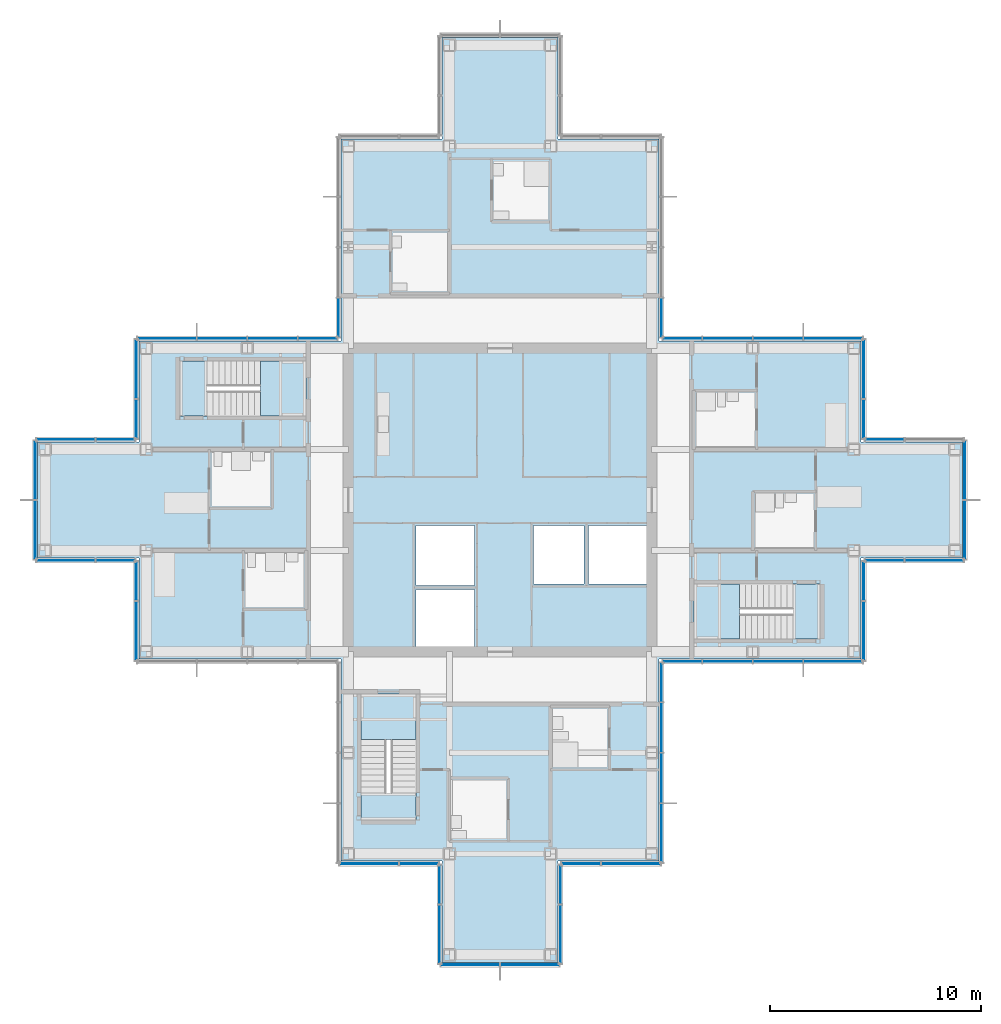
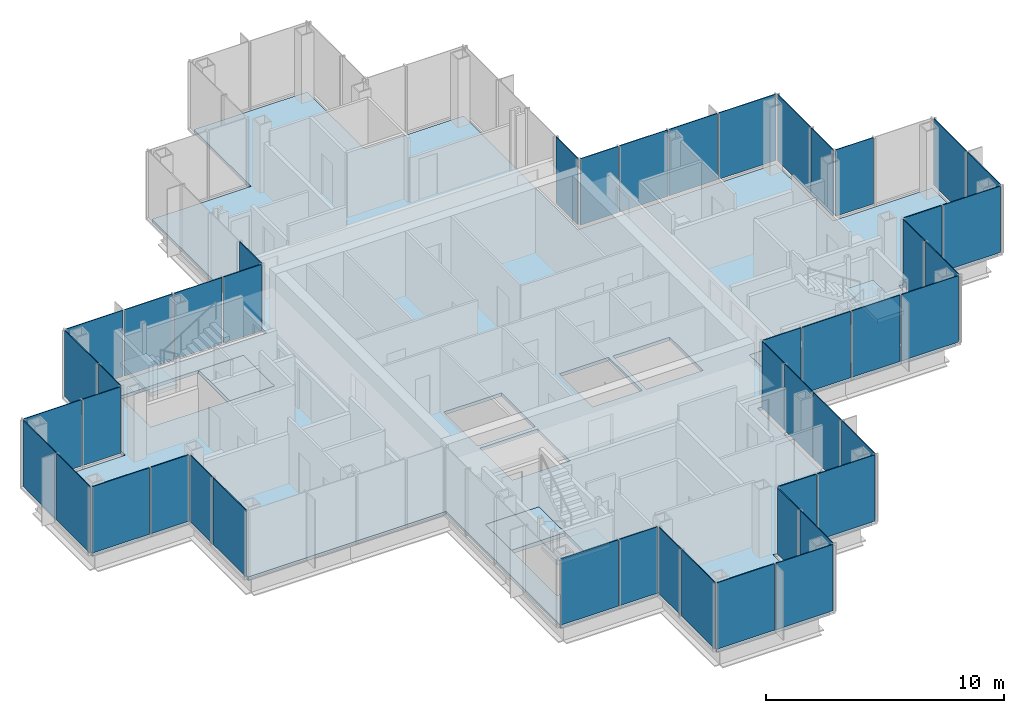
# One storey, part 10 of 17: 47 plates, 7 slabs, 24 elements without a shape of their own.
"""IFC4 building model written with IfcOpenShell, lengths in metres."""

from ifc_helpers import new_model, si_unit, direction, frame, origin, origin_2d, place, context, subcontext, project, spatial, polyline, rectangle, outline, extrude, material, layer, layer_set, type_object, element, aggregate, save


model = new_model("IFC4")

# Units and contexts
model_context = context("Model", 3, precision=1e-05, world=origin(), true_north=direction((0.0, 1.0)))
body_context = subcontext(model_context, "Body", "Model", "MODEL_VIEW")
ifc_project = project(units=[si_unit("LENGTHUNIT", "METRE"), si_unit("AREAUNIT", "SQUARE_METRE"), si_unit("VOLUMEUNIT", "CUBIC_METRE"), si_unit("PLANEANGLEUNIT", "RADIAN"), si_unit("MASSUNIT", "GRAM", prefix="KILO")], contexts=[model_context])

# Site, building, storey
site_placement = place(None, origin())
site = spatial("IfcSite", under=ifc_project, at=site_placement, CompositionType="ELEMENT")
building_placement = place(site_placement, origin())
building = spatial("IfcBuilding", under=site, at=building_placement, Name="Kvirike Care Tower", CompositionType="ELEMENT")
storey_placement = place(building_placement, frame((0.0, 0.0, 165.5)))
storey = spatial("IfcBuildingStorey", under=building, at=storey_placement, Name="L45", CompositionType="ELEMENT", Elevation=165.5)

# Slab
ifc_material_1 = material(Name="Concrete C35/45", Category="concrete")
ifc_layer_1 = layer(ifc_material_1, 0.169921875)
ifc_layer_set_1 = layer_set([ifc_layer_1], Name="FLOOR SLAB 170")
slab_type_1 = type_object("IfcSlabType", Name="FLOOR SLAB 170", PredefinedType="FLOOR", material=ifc_layer_set_1)
slab_1_placement = place(storey_placement, frame((0.0, 0.0, -0.169921875)))
element("IfcSlab", 1, at=slab_1_placement, inside=storey, type_object=slab_type_1, Name="Floor slab L45", PredefinedType="FLOOR", context=body_context, shape_type="SweptSolid", body=[
    extrude(outline(polyline([(29.14990234375, 28.449951171875), (38.75, 28.449951171875), (38.75, 33.25), (43.550048828125, 33.25), (43.550048828125, 38.75), (38.75, 38.75), (38.75, 43.550048828125), (29.14990234375, 43.550048828125), (29.14990234375, 53.14990234375), (24.35009765625, 53.14990234375), (24.35009765625, 57.949951171875), (18.85009765625, 57.949951171875), (18.85009765625, 53.14990234375), (14.050048828125, 53.14990234375), (14.050048828125, 43.550048828125), (4.449951171875, 43.550048828125), (4.449951171875, 38.75), (-0.35009765625, 38.75), (-0.35009765625, 33.25), (4.449951171875, 33.25), (4.449951171875, 28.449951171875), (14.050048828125, 28.449951171875), (14.050048828125, 18.85009765625), (18.85009765625, 18.85009765625), (18.85009765625, 14.050048828125), (24.35009765625, 14.050048828125), (24.35009765625, 18.85009765625), (29.14990234375, 18.85009765625), (29.14990234375, 28.449951171875)]), holes=[polyline([(17.60009765625, 29.050048828125), (17.60009765625, 31.75), (20.39990234375, 31.75), (20.39990234375, 29.050048828125), (17.60009765625, 29.050048828125)]), polyline([(17.60009765625, 31.949951171875), (17.60009765625, 34.800048828125), (20.39990234375, 34.800048828125), (20.39990234375, 31.949951171875), (17.60009765625, 31.949951171875)]), polyline([(23.199951171875, 32.0), (23.199951171875, 34.800048828125), (25.60009765625, 34.800048828125), (25.60009765625, 32.0), (23.199951171875, 32.0)]), polyline([(25.800048828125, 32.0), (25.800048828125, 34.800048828125), (28.550048828125, 34.800048828125), (28.550048828125, 32.0), (25.800048828125, 32.0)]), polyline([(12.39990234375, 42.60009765625), (12.39990234375, 40.0), (6.39990234375, 40.0), (6.39990234375, 42.60009765625), (12.39990234375, 42.60009765625)]), polyline([(30.800048828125, 29.39990234375), (30.800048828125, 32.0), (36.800048828125, 32.0), (36.800048828125, 29.39990234375), (30.800048828125, 29.39990234375)]), polyline([(15.0, 26.800048828125), (17.60009765625, 26.800048828125), (17.60009765625, 20.800048828125), (15.0, 20.800048828125), (15.0, 26.800048828125)])]), origin(), (0.0, 0.0, 1.0), 0.169921875),
])

# Stair, slabs
ifc_material_2 = material(Name="Concrete C35/45", Category="concrete")
stair_type = type_object("IfcStairType", Name="STAIR 20 RISERS", PredefinedType="HALF_TURN_STAIR", material=ifc_material_2)
stair_1_placement = place(storey_placement, origin())
stair_1 = element("IfcStair", 2, at=stair_1_placement, inside=storey, type_object=stair_type, Name="Stair 1 L45", PredefinedType="HALF_TURN_STAIR")
ifc_material_3 = material(Name="Concrete C35/45", Category="concrete")
ifc_layer_2 = layer(ifc_material_3, 0.199951171875)
ifc_layer_set_2 = layer_set([ifc_layer_2], Name="STAIR LANDING 200")
slab_type_2 = type_object("IfcSlabType", Name="STAIR LANDING 200", PredefinedType="LANDING", material=ifc_layer_set_2)
slab_2_placement = place(storey_placement, frame((0.0, 0.0, -0.199951171875)))
slab_2 = element("IfcSlab", 3, at=slab_2_placement, type_object=slab_type_2, Name="Stair S1 floor landing L45", PredefinedType="LANDING", context=body_context, shape_type="SweptSolid", body=[
    extrude(outline(polyline([(10.219970703125, 42.60009765625), (10.219970703125, 40.0), (12.39990234375, 40.0), (12.39990234375, 42.60009765625), (10.219970703125, 42.60009765625)])), origin(), (0.0, 0.0, 1.0), 0.199951171875),
])
slab_3_placement = place(storey_placement, frame((0.0, 0.0, 1.550048828125)))
slab_3 = element("IfcSlab", 4, at=slab_3_placement, type_object=slab_type_2, Name="Stair S1 half landing L45-L46", PredefinedType="LANDING", context=body_context, shape_type="SweptSolid", body=[
    extrude(outline(polyline([(6.39990234375, 42.60009765625), (6.39990234375, 40.0), (7.699951171875, 40.0), (7.699951171875, 42.60009765625), (6.39990234375, 42.60009765625)])), origin(), (0.0, 0.0, 1.0), 0.199951171875),
])
aggregate(stair_1, [slab_2, slab_3])

stair_2_placement = place(storey_placement, origin())
stair_2 = element("IfcStair", 5, at=stair_2_placement, inside=storey, type_object=stair_type, Name="Stair 2 L45", PredefinedType="HALF_TURN_STAIR")
slab_4_placement = place(storey_placement, frame((0.0, 0.0, -0.199951171875)))
slab_4 = element("IfcSlab", 6, at=slab_4_placement, type_object=slab_type_2, Name="Stair S2 floor landing L45", PredefinedType="LANDING", context=body_context, shape_type="SweptSolid", body=[
    extrude(outline(polyline([(32.97998046875, 29.39990234375), (32.97998046875, 32.0), (30.800048828125, 32.0), (30.800048828125, 29.39990234375), (32.97998046875, 29.39990234375)])), origin(), (0.0, 0.0, 1.0), 0.199951171875),
])
slab_5_placement = place(storey_placement, frame((0.0, 0.0, 1.550048828125)))
slab_5 = element("IfcSlab", 7, at=slab_5_placement, type_object=slab_type_2, Name="Stair S2 half landing L45-L46", PredefinedType="LANDING", context=body_context, shape_type="SweptSolid", body=[
    extrude(outline(polyline([(36.800048828125, 29.39990234375), (36.800048828125, 32.0), (35.5, 32.0), (35.5, 29.39990234375), (36.800048828125, 29.39990234375)])), origin(), (0.0, 0.0, 1.0), 0.199951171875),
])
aggregate(stair_2, [slab_4, slab_5])

stair_3_placement = place(storey_placement, origin())
stair_3 = element("IfcStair", 8, at=stair_3_placement, inside=storey, type_object=stair_type, Name="Stair 5 L45", PredefinedType="HALF_TURN_STAIR")
slab_6_placement = place(storey_placement, frame((0.0, 0.0, -0.199951171875)))
slab_6 = element("IfcSlab", 9, at=slab_6_placement, type_object=slab_type_2, Name="Stair S5 floor landing L45", PredefinedType="LANDING", context=body_context, shape_type="SweptSolid", body=[
    extrude(outline(polyline([(15.0, 24.6201171875), (17.60009765625, 24.6201171875), (17.60009765625, 26.800048828125), (15.0, 26.800048828125), (15.0, 24.6201171875)])), origin(), (0.0, 0.0, 1.0), 0.199951171875),
])
slab_7_placement = place(storey_placement, frame((0.0, 0.0, 1.550048828125)))
slab_7 = element("IfcSlab", 10, at=slab_7_placement, type_object=slab_type_2, Name="Stair S5 half landing L45-L46", PredefinedType="LANDING", context=body_context, shape_type="SweptSolid", body=[
    extrude(outline(polyline([(15.0, 20.800048828125), (17.60009765625, 20.800048828125), (17.60009765625, 22.10009765625), (15.0, 22.10009765625), (15.0, 20.800048828125)])), origin(), (0.0, 0.0, 1.0), 0.199951171875),
])
aggregate(stair_3, [slab_6, slab_7])

# Curtain wall, plates
ifc_material_4 = material(Name="Anodised aluminium stick system", Category="aluminium")
curtain_wall_type = type_object("IfcCurtainWallType", Name="CW-C STICK CURTAIN WALL", PredefinedType="NOTDEFINED", material=ifc_material_4)
curtain_wall_1_placement = place(storey_placement, origin())
curtain_wall_1 = element("IfcCurtainWall", 11, at=curtain_wall_1_placement, inside=storey, type_object=curtain_wall_type, Name="Curtain wall L45 face 1", PredefinedType="NOTDEFINED")
ifc_material_5 = material(Name="Tinted double glazed unit", Category="glass")
ifc_layer_3 = layer(ifc_material_5, 0.0400390625)
ifc_layer_set_3 = layer_set([ifc_layer_3], Name="TINTED VISION PANEL 40")
plate_type = type_object("IfcPlateType", Name="TINTED VISION PANEL 40", PredefinedType="CURTAIN_PANEL", material=ifc_layer_set_3)
plate_1_placement = place(storey_placement, frame((30.251220703125, 28.330078125, 0.10009765625), z_axis=(0.0, 0.0, 1.0), x_axis=(1.0, 0.0, 0.0)))
plate_1 = element("IfcPlate", 12, at=plate_1_placement, type_object=plate_type, Name="CW-C panel L45 face 1.1", PredefinedType="CURTAIN_PANEL", context=body_context, shape_type="SweptSolid", body=[
    extrude(rectangle(XDim=1.83251953125, YDim=0.0400390625, at=origin_2d()), origin(), (0.0, 0.0, 1.0), 3.39990234375),
])
plate_2_placement = place(storey_placement, frame((32.39990234375, 28.330078125, 0.10009765625), z_axis=(0.0, 0.0, 1.0), x_axis=(1.0, 0.0, 0.0)))
plate_2 = element("IfcPlate", 13, at=plate_2_placement, type_object=plate_type, Name="CW-C panel L45 face 1.2", PredefinedType="CURTAIN_PANEL", context=body_context, shape_type="SweptSolid", body=[
    extrude(rectangle(XDim=2.3349609375, YDim=0.0400390625, at=origin_2d()), origin(), (0.0, 0.0, 1.0), 3.39990234375),
])
plate_3_placement = place(storey_placement, frame((34.800048828125, 28.330078125, 0.10009765625), z_axis=(0.0, 0.0, 1.0), x_axis=(1.0, 0.0, 0.0)))
plate_3 = element("IfcPlate", 14, at=plate_3_placement, type_object=plate_type, Name="CW-C panel L45 face 1.3", PredefinedType="CURTAIN_PANEL", context=body_context, shape_type="SweptSolid", body=[
    extrude(rectangle(XDim=2.3349609375, YDim=0.0400390625, at=origin_2d()), origin(), (0.0, 0.0, 1.0), 3.39990234375),
])
plate_4_placement = place(storey_placement, frame((37.418701171875, 28.330078125, 0.10009765625), z_axis=(0.0, 0.0, 1.0), x_axis=(1.0, 0.0, 0.0)))
plate_4 = element("IfcPlate", 15, at=plate_4_placement, type_object=plate_type, Name="CW-C panel L45 face 1.4", PredefinedType="CURTAIN_PANEL", context=body_context, shape_type="SweptSolid", body=[
    extrude(rectangle(XDim=2.7724609375, YDim=0.0400390625, at=origin_2d()), origin(), (0.0, 0.0, 1.0), 3.39990234375),
])
aggregate(curtain_wall_1, [plate_1, plate_2, plate_3, plate_4])

curtain_wall_2_placement = place(storey_placement, origin())
curtain_wall_2 = element("IfcCurtainWall", 16, at=curtain_wall_2_placement, inside=storey, type_object=curtain_wall_type, Name="Curtain wall L45 face 2", PredefinedType="NOTDEFINED")
plate_5_placement = place(storey_placement, frame((38.8701171875, 29.78125, 0.10009765625), z_axis=(0.0, 0.0, 1.0), x_axis=(0.0, 1.0, 0.0)))
plate_5 = element("IfcPlate", 17, at=plate_5_placement, type_object=plate_type, Name="CW-C panel L45 face 2.1", PredefinedType="CURTAIN_PANEL", context=body_context, shape_type="SweptSolid", body=[
    extrude(rectangle(XDim=2.7724609375, YDim=0.0400390625, at=origin_2d()), origin(), (0.0, 0.0, 1.0), 3.39990234375),
])
plate_6_placement = place(storey_placement, frame((38.8701171875, 32.148681640625, 0.10009765625), z_axis=(0.0, 0.0, 1.0), x_axis=(0.0, 1.0, 0.0)))
plate_6 = element("IfcPlate", 18, at=plate_6_placement, type_object=plate_type, Name="CW-C panel L45 face 2.2", PredefinedType="CURTAIN_PANEL", context=body_context, shape_type="SweptSolid", body=[
    extrude(rectangle(XDim=1.83251953125, YDim=0.0400390625, at=origin_2d()), origin(), (0.0, 0.0, 1.0), 3.39990234375),
])
aggregate(curtain_wall_2, [plate_5, plate_6])

curtain_wall_3_placement = place(storey_placement, origin())
curtain_wall_3 = element("IfcCurtainWall", 19, at=curtain_wall_3_placement, inside=storey, type_object=curtain_wall_type, Name="Curtain wall L45 face 3", PredefinedType="NOTDEFINED")
plate_7_placement = place(storey_placement, frame((39.851318359375, 33.1298828125, 0.10009765625), z_axis=(0.0, 0.0, 1.0), x_axis=(1.0, 0.0, 0.0)))
plate_7 = element("IfcPlate", 20, at=plate_7_placement, type_object=plate_type, Name="CW-C panel L45 face 3.1", PredefinedType="CURTAIN_PANEL", context=body_context, shape_type="SweptSolid", body=[
    extrude(rectangle(XDim=1.83251953125, YDim=0.0400390625, at=origin_2d()), origin(), (0.0, 0.0, 1.0), 3.39990234375),
])
plate_8_placement = place(storey_placement, frame((42.21875, 33.1298828125, 0.10009765625), z_axis=(0.0, 0.0, 1.0), x_axis=(1.0, 0.0, 0.0)))
plate_8 = element("IfcPlate", 21, at=plate_8_placement, type_object=plate_type, Name="CW-C panel L45 face 3.2", PredefinedType="CURTAIN_PANEL", context=body_context, shape_type="SweptSolid", body=[
    extrude(rectangle(XDim=2.7724609375, YDim=0.0400390625, at=origin_2d()), origin(), (0.0, 0.0, 1.0), 3.39990234375),
])
aggregate(curtain_wall_3, [plate_7, plate_8])

curtain_wall_4_placement = place(storey_placement, origin())
curtain_wall_4 = element("IfcCurtainWall", 22, at=curtain_wall_4_placement, inside=storey, type_object=curtain_wall_type, Name="Curtain wall L45 face 4", PredefinedType="NOTDEFINED")
plate_9_placement = place(storey_placement, frame((43.669921875, 34.581298828125, 0.10009765625), z_axis=(0.0, 0.0, 1.0), x_axis=(0.0, 1.0, 0.0)))
plate_9 = element("IfcPlate", 23, at=plate_9_placement, type_object=plate_type, Name="CW-C panel L45 face 4.1", PredefinedType="CURTAIN_PANEL", context=body_context, shape_type="SweptSolid", body=[
    extrude(rectangle(XDim=2.7724609375, YDim=0.0400390625, at=origin_2d()), origin(), (0.0, 0.0, 1.0), 3.39990234375),
])
plate_10_placement = place(storey_placement, frame((43.669921875, 37.418701171875, 0.10009765625), z_axis=(0.0, 0.0, 1.0), x_axis=(0.0, 1.0, 0.0)))
plate_10 = element("IfcPlate", 24, at=plate_10_placement, type_object=plate_type, Name="CW-C panel L45 face 4.2", PredefinedType="CURTAIN_PANEL", context=body_context, shape_type="SweptSolid", body=[
    extrude(rectangle(XDim=2.7724609375, YDim=0.0400390625, at=origin_2d()), origin(), (0.0, 0.0, 1.0), 3.39990234375),
])
aggregate(curtain_wall_4, [plate_9, plate_10])

# Curtain wall, plate
curtain_wall_5_placement = place(storey_placement, origin())
curtain_wall_5 = element("IfcCurtainWall", 25, at=curtain_wall_5_placement, inside=storey, type_object=curtain_wall_type, Name="Curtain wall L45 face 5", PredefinedType="NOTDEFINED")
plate_11_placement = place(storey_placement, frame((39.851318359375, 38.8701171875, 0.10009765625), z_axis=(0.0, 0.0, 1.0), x_axis=(-1.0, 0.0, 0.0)))
plate_11 = element("IfcPlate", 26, at=plate_11_placement, type_object=plate_type, Name="CW-C panel L45 face 5.2", PredefinedType="CURTAIN_PANEL", context=body_context, shape_type="SweptSolid", body=[
    extrude(rectangle(XDim=1.83251953125, YDim=0.0400390625, at=origin_2d()), origin(), (0.0, 0.0, 1.0), 3.39990234375),
])
aggregate(curtain_wall_5, [plate_11])

# Curtain wall, plates
curtain_wall_6_placement = place(storey_placement, origin())
curtain_wall_6 = element("IfcCurtainWall", 27, at=curtain_wall_6_placement, inside=storey, type_object=curtain_wall_type, Name="Curtain wall L45 face 6", PredefinedType="NOTDEFINED")
plate_12_placement = place(storey_placement, frame((38.8701171875, 39.851318359375, 0.10009765625), z_axis=(0.0, 0.0, 1.0), x_axis=(0.0, 1.0, 0.0)))
plate_12 = element("IfcPlate", 28, at=plate_12_placement, type_object=plate_type, Name="CW-C panel L45 face 6.1", PredefinedType="CURTAIN_PANEL", context=body_context, shape_type="SweptSolid", body=[
    extrude(rectangle(XDim=1.83251953125, YDim=0.0400390625, at=origin_2d()), origin(), (0.0, 0.0, 1.0), 3.39990234375),
])
plate_13_placement = place(storey_placement, frame((38.8701171875, 42.21875, 0.10009765625), z_axis=(0.0, 0.0, 1.0), x_axis=(0.0, 1.0, 0.0)))
plate_13 = element("IfcPlate", 29, at=plate_13_placement, type_object=plate_type, Name="CW-C panel L45 face 6.2", PredefinedType="CURTAIN_PANEL", context=body_context, shape_type="SweptSolid", body=[
    extrude(rectangle(XDim=2.7724609375, YDim=0.0400390625, at=origin_2d()), origin(), (0.0, 0.0, 1.0), 3.39990234375),
])
aggregate(curtain_wall_6, [plate_12, plate_13])

curtain_wall_7_placement = place(storey_placement, origin())
curtain_wall_7 = element("IfcCurtainWall", 30, at=curtain_wall_7_placement, inside=storey, type_object=curtain_wall_type, Name="Curtain wall L45 face 7", PredefinedType="NOTDEFINED")
plate_14_placement = place(storey_placement, frame((37.418701171875, 43.669921875, 0.10009765625), z_axis=(0.0, 0.0, 1.0), x_axis=(-1.0, 0.0, 0.0)))
plate_14 = element("IfcPlate", 31, at=plate_14_placement, type_object=plate_type, Name="CW-C panel L45 face 7.1", PredefinedType="CURTAIN_PANEL", context=body_context, shape_type="SweptSolid", body=[
    extrude(rectangle(XDim=2.7724609375, YDim=0.0400390625, at=origin_2d()), origin(), (0.0, 0.0, 1.0), 3.39990234375),
])
plate_15_placement = place(storey_placement, frame((34.800048828125, 43.669921875, 0.10009765625), z_axis=(0.0, 0.0, 1.0), x_axis=(-1.0, 0.0, 0.0)))
plate_15 = element("IfcPlate", 32, at=plate_15_placement, type_object=plate_type, Name="CW-C panel L45 face 7.2", PredefinedType="CURTAIN_PANEL", context=body_context, shape_type="SweptSolid", body=[
    extrude(rectangle(XDim=2.3349609375, YDim=0.0400390625, at=origin_2d()), origin(), (0.0, 0.0, 1.0), 3.39990234375),
])
plate_16_placement = place(storey_placement, frame((32.39990234375, 43.669921875, 0.10009765625), z_axis=(0.0, 0.0, 1.0), x_axis=(-1.0, 0.0, 0.0)))
plate_16 = element("IfcPlate", 33, at=plate_16_placement, type_object=plate_type, Name="CW-C panel L45 face 7.3", PredefinedType="CURTAIN_PANEL", context=body_context, shape_type="SweptSolid", body=[
    extrude(rectangle(XDim=2.3349609375, YDim=0.0400390625, at=origin_2d()), origin(), (0.0, 0.0, 1.0), 3.39990234375),
])
plate_17_placement = place(storey_placement, frame((30.251220703125, 43.669921875, 0.10009765625), z_axis=(0.0, 0.0, 1.0), x_axis=(-1.0, 0.0, 0.0)))
plate_17 = element("IfcPlate", 34, at=plate_17_placement, type_object=plate_type, Name="CW-C panel L45 face 7.4", PredefinedType="CURTAIN_PANEL", context=body_context, shape_type="SweptSolid", body=[
    extrude(rectangle(XDim=1.83251953125, YDim=0.0400390625, at=origin_2d()), origin(), (0.0, 0.0, 1.0), 3.39990234375),
])
aggregate(curtain_wall_7, [plate_14, plate_15, plate_16, plate_17])

# Curtain wall, plate
curtain_wall_8_placement = place(storey_placement, origin())
curtain_wall_8 = element("IfcCurtainWall", 35, at=curtain_wall_8_placement, inside=storey, type_object=curtain_wall_type, Name="Curtain wall L45 face 8", PredefinedType="NOTDEFINED")
plate_18_placement = place(storey_placement, frame((29.27001953125, 44.6513671875, 0.10009765625), z_axis=(0.0, 0.0, 1.0), x_axis=(0.0, 1.0, 0.0)))
plate_18 = element("IfcPlate", 36, at=plate_18_placement, type_object=plate_type, Name="CW-C panel L45 face 8.1", PredefinedType="CURTAIN_PANEL", context=body_context, shape_type="SweptSolid", body=[
    extrude(rectangle(XDim=1.83251953125, YDim=0.0400390625, at=origin_2d()), origin(), (0.0, 0.0, 1.0), 3.39990234375),
])
aggregate(curtain_wall_8, [plate_18])

curtain_wall_9_placement = place(storey_placement, origin())
curtain_wall_9 = element("IfcCurtainWall", 37, at=curtain_wall_9_placement, inside=storey, type_object=curtain_wall_type, Name="Curtain wall L45 face 14", PredefinedType="NOTDEFINED")
plate_19_placement = place(storey_placement, frame((13.929931640625, 44.6513671875, 0.10009765625), z_axis=(0.0, 0.0, 1.0), x_axis=(0.0, -1.0, 0.0)))
plate_19 = element("IfcPlate", 38, at=plate_19_placement, type_object=plate_type, Name="CW-C panel L45 face 14.4", PredefinedType="CURTAIN_PANEL", context=body_context, shape_type="SweptSolid", body=[
    extrude(rectangle(XDim=1.83251953125, YDim=0.0400390625, at=origin_2d()), origin(), (0.0, 0.0, 1.0), 3.39990234375),
])
aggregate(curtain_wall_9, [plate_19])

# Curtain wall, plates
curtain_wall_10_placement = place(storey_placement, origin())
curtain_wall_10 = element("IfcCurtainWall", 39, at=curtain_wall_10_placement, inside=storey, type_object=curtain_wall_type, Name="Curtain wall L45 face 15", PredefinedType="NOTDEFINED")
plate_20_placement = place(storey_placement, frame((12.94873046875, 43.669921875, 0.10009765625), z_axis=(0.0, 0.0, 1.0), x_axis=(-1.0, 0.0, 0.0)))
plate_20 = element("IfcPlate", 40, at=plate_20_placement, type_object=plate_type, Name="CW-C panel L45 face 15.1", PredefinedType="CURTAIN_PANEL", context=body_context, shape_type="SweptSolid", body=[
    extrude(rectangle(XDim=1.83251953125, YDim=0.0400390625, at=origin_2d()), origin(), (0.0, 0.0, 1.0), 3.39990234375),
])
plate_21_placement = place(storey_placement, frame((10.800048828125, 43.669921875, 0.10009765625), z_axis=(0.0, 0.0, 1.0), x_axis=(-1.0, 0.0, 0.0)))
plate_21 = element("IfcPlate", 41, at=plate_21_placement, type_object=plate_type, Name="CW-C panel L45 face 15.2", PredefinedType="CURTAIN_PANEL", context=body_context, shape_type="SweptSolid", body=[
    extrude(rectangle(XDim=2.3349609375, YDim=0.0400390625, at=origin_2d()), origin(), (0.0, 0.0, 1.0), 3.39990234375),
])
plate_22_placement = place(storey_placement, frame((8.39990234375, 43.669921875, 0.10009765625), z_axis=(0.0, 0.0, 1.0), x_axis=(-1.0, 0.0, 0.0)))
plate_22 = element("IfcPlate", 42, at=plate_22_placement, type_object=plate_type, Name="CW-C panel L45 face 15.3", PredefinedType="CURTAIN_PANEL", context=body_context, shape_type="SweptSolid", body=[
    extrude(rectangle(XDim=2.3349609375, YDim=0.0400390625, at=origin_2d()), origin(), (0.0, 0.0, 1.0), 3.39990234375),
])
plate_23_placement = place(storey_placement, frame((5.78125, 43.669921875, 0.10009765625), z_axis=(0.0, 0.0, 1.0), x_axis=(-1.0, 0.0, 0.0)))
plate_23 = element("IfcPlate", 43, at=plate_23_placement, type_object=plate_type, Name="CW-C panel L45 face 15.4", PredefinedType="CURTAIN_PANEL", context=body_context, shape_type="SweptSolid", body=[
    extrude(rectangle(XDim=2.7724609375, YDim=0.0400390625, at=origin_2d()), origin(), (0.0, 0.0, 1.0), 3.39990234375),
])
aggregate(curtain_wall_10, [plate_20, plate_21, plate_22, plate_23])

curtain_wall_11_placement = place(storey_placement, origin())
curtain_wall_11 = element("IfcCurtainWall", 44, at=curtain_wall_11_placement, inside=storey, type_object=curtain_wall_type, Name="Curtain wall L45 face 16", PredefinedType="NOTDEFINED")
plate_24_placement = place(storey_placement, frame((4.330078125, 42.21875, 0.10009765625), z_axis=(0.0, 0.0, 1.0), x_axis=(0.0, -1.0, 0.0)))
plate_24 = element("IfcPlate", 45, at=plate_24_placement, type_object=plate_type, Name="CW-C panel L45 face 16.1", PredefinedType="CURTAIN_PANEL", context=body_context, shape_type="SweptSolid", body=[
    extrude(rectangle(XDim=2.7724609375, YDim=0.0400390625, at=origin_2d()), origin(), (0.0, 0.0, 1.0), 3.39990234375),
])
plate_25_placement = place(storey_placement, frame((4.330078125, 39.851318359375, 0.10009765625), z_axis=(0.0, 0.0, 1.0), x_axis=(0.0, -1.0, 0.0)))
plate_25 = element("IfcPlate", 46, at=plate_25_placement, type_object=plate_type, Name="CW-C panel L45 face 16.2", PredefinedType="CURTAIN_PANEL", context=body_context, shape_type="SweptSolid", body=[
    extrude(rectangle(XDim=1.83251953125, YDim=0.0400390625, at=origin_2d()), origin(), (0.0, 0.0, 1.0), 3.39990234375),
])
aggregate(curtain_wall_11, [plate_24, plate_25])

curtain_wall_12_placement = place(storey_placement, origin())
curtain_wall_12 = element("IfcCurtainWall", 47, at=curtain_wall_12_placement, inside=storey, type_object=curtain_wall_type, Name="Curtain wall L45 face 17", PredefinedType="NOTDEFINED")
plate_26_placement = place(storey_placement, frame((3.3486328125, 38.8701171875, 0.10009765625), z_axis=(0.0, 0.0, 1.0), x_axis=(-1.0, 0.0, 0.0)))
plate_26 = element("IfcPlate", 48, at=plate_26_placement, type_object=plate_type, Name="CW-C panel L45 face 17.1", PredefinedType="CURTAIN_PANEL", context=body_context, shape_type="SweptSolid", body=[
    extrude(rectangle(XDim=1.83251953125, YDim=0.0400390625, at=origin_2d()), origin(), (0.0, 0.0, 1.0), 3.39990234375),
])
plate_27_placement = place(storey_placement, frame((0.981201171875, 38.8701171875, 0.10009765625), z_axis=(0.0, 0.0, 1.0), x_axis=(-1.0, 0.0, 0.0)))
plate_27 = element("IfcPlate", 49, at=plate_27_placement, type_object=plate_type, Name="CW-C panel L45 face 17.2", PredefinedType="CURTAIN_PANEL", context=body_context, shape_type="SweptSolid", body=[
    extrude(rectangle(XDim=2.7724609375, YDim=0.0400390625, at=origin_2d()), origin(), (0.0, 0.0, 1.0), 3.39990234375),
])
aggregate(curtain_wall_12, [plate_26, plate_27])

curtain_wall_13_placement = place(storey_placement, origin())
curtain_wall_13 = element("IfcCurtainWall", 50, at=curtain_wall_13_placement, inside=storey, type_object=curtain_wall_type, Name="Curtain wall L45 face 18", PredefinedType="NOTDEFINED")
plate_28_placement = place(storey_placement, frame((-0.469970703125, 37.418701171875, 0.10009765625), z_axis=(0.0, 0.0, 1.0), x_axis=(0.0, -1.0, 0.0)))
plate_28 = element("IfcPlate", 51, at=plate_28_placement, type_object=plate_type, Name="CW-C panel L45 face 18.1", PredefinedType="CURTAIN_PANEL", context=body_context, shape_type="SweptSolid", body=[
    extrude(rectangle(XDim=2.7724609375, YDim=0.0400390625, at=origin_2d()), origin(), (0.0, 0.0, 1.0), 3.39990234375),
])
plate_29_placement = place(storey_placement, frame((-0.469970703125, 34.581298828125, 0.10009765625), z_axis=(0.0, 0.0, 1.0), x_axis=(0.0, -1.0, 0.0)))
plate_29 = element("IfcPlate", 52, at=plate_29_placement, type_object=plate_type, Name="CW-C panel L45 face 18.2", PredefinedType="CURTAIN_PANEL", context=body_context, shape_type="SweptSolid", body=[
    extrude(rectangle(XDim=2.7724609375, YDim=0.0400390625, at=origin_2d()), origin(), (0.0, 0.0, 1.0), 3.39990234375),
])
aggregate(curtain_wall_13, [plate_28, plate_29])

curtain_wall_14_placement = place(storey_placement, origin())
curtain_wall_14 = element("IfcCurtainWall", 53, at=curtain_wall_14_placement, inside=storey, type_object=curtain_wall_type, Name="Curtain wall L45 face 19", PredefinedType="NOTDEFINED")
plate_30_placement = place(storey_placement, frame((0.981201171875, 33.1298828125, 0.10009765625), z_axis=(0.0, 0.0, 1.0), x_axis=(1.0, 0.0, 0.0)))
plate_30 = element("IfcPlate", 54, at=plate_30_placement, type_object=plate_type, Name="CW-C panel L45 face 19.1", PredefinedType="CURTAIN_PANEL", context=body_context, shape_type="SweptSolid", body=[
    extrude(rectangle(XDim=2.7724609375, YDim=0.0400390625, at=origin_2d()), origin(), (0.0, 0.0, 1.0), 3.39990234375),
])
plate_31_placement = place(storey_placement, frame((3.3486328125, 33.1298828125, 0.10009765625), z_axis=(0.0, 0.0, 1.0), x_axis=(1.0, 0.0, 0.0)))
plate_31 = element("IfcPlate", 55, at=plate_31_placement, type_object=plate_type, Name="CW-C panel L45 face 19.2", PredefinedType="CURTAIN_PANEL", context=body_context, shape_type="SweptSolid", body=[
    extrude(rectangle(XDim=1.83251953125, YDim=0.0400390625, at=origin_2d()), origin(), (0.0, 0.0, 1.0), 3.39990234375),
])
aggregate(curtain_wall_14, [plate_30, plate_31])

curtain_wall_15_placement = place(storey_placement, origin())
curtain_wall_15 = element("IfcCurtainWall", 56, at=curtain_wall_15_placement, inside=storey, type_object=curtain_wall_type, Name="Curtain wall L45 face 20", PredefinedType="NOTDEFINED")
plate_32_placement = place(storey_placement, frame((4.330078125, 32.148681640625, 0.10009765625), z_axis=(0.0, 0.0, 1.0), x_axis=(0.0, -1.0, 0.0)))
plate_32 = element("IfcPlate", 57, at=plate_32_placement, type_object=plate_type, Name="CW-C panel L45 face 20.1", PredefinedType="CURTAIN_PANEL", context=body_context, shape_type="SweptSolid", body=[
    extrude(rectangle(XDim=1.83251953125, YDim=0.0400390625, at=origin_2d()), origin(), (0.0, 0.0, 1.0), 3.39990234375),
])
plate_33_placement = place(storey_placement, frame((4.330078125, 29.78125, 0.10009765625), z_axis=(0.0, 0.0, 1.0), x_axis=(0.0, -1.0, 0.0)))
plate_33 = element("IfcPlate", 58, at=plate_33_placement, type_object=plate_type, Name="CW-C panel L45 face 20.2", PredefinedType="CURTAIN_PANEL", context=body_context, shape_type="SweptSolid", body=[
    extrude(rectangle(XDim=2.7724609375, YDim=0.0400390625, at=origin_2d()), origin(), (0.0, 0.0, 1.0), 3.39990234375),
])
aggregate(curtain_wall_15, [plate_32, plate_33])

curtain_wall_16_placement = place(storey_placement, origin())
curtain_wall_16 = element("IfcCurtainWall", 59, at=curtain_wall_16_placement, inside=storey, type_object=curtain_wall_type, Name="Curtain wall L45 face 23", PredefinedType="NOTDEFINED")
plate_34_placement = place(storey_placement, frame((15.38134765625, 18.72998046875, 0.10009765625), z_axis=(0.0, 0.0, 1.0), x_axis=(1.0, 0.0, 0.0)))
plate_34 = element("IfcPlate", 60, at=plate_34_placement, type_object=plate_type, Name="CW-C panel L45 face 23.1", PredefinedType="CURTAIN_PANEL", context=body_context, shape_type="SweptSolid", body=[
    extrude(rectangle(XDim=2.7724609375, YDim=0.0400390625, at=origin_2d()), origin(), (0.0, 0.0, 1.0), 3.39990234375),
])
plate_35_placement = place(storey_placement, frame((17.748779296875, 18.72998046875, 0.10009765625), z_axis=(0.0, 0.0, 1.0), x_axis=(1.0, 0.0, 0.0)))
plate_35 = element("IfcPlate", 61, at=plate_35_placement, type_object=plate_type, Name="CW-C panel L45 face 23.2", PredefinedType="CURTAIN_PANEL", context=body_context, shape_type="SweptSolid", body=[
    extrude(rectangle(XDim=1.83251953125, YDim=0.0400390625, at=origin_2d()), origin(), (0.0, 0.0, 1.0), 3.39990234375),
])
aggregate(curtain_wall_16, [plate_34, plate_35])

curtain_wall_17_placement = place(storey_placement, origin())
curtain_wall_17 = element("IfcCurtainWall", 62, at=curtain_wall_17_placement, inside=storey, type_object=curtain_wall_type, Name="Curtain wall L45 face 24", PredefinedType="NOTDEFINED")
plate_36_placement = place(storey_placement, frame((18.72998046875, 17.748779296875, 0.10009765625), z_axis=(0.0, 0.0, 1.0), x_axis=(0.0, -1.0, 0.0)))
plate_36 = element("IfcPlate", 63, at=plate_36_placement, type_object=plate_type, Name="CW-C panel L45 face 24.1", PredefinedType="CURTAIN_PANEL", context=body_context, shape_type="SweptSolid", body=[
    extrude(rectangle(XDim=1.83251953125, YDim=0.0400390625, at=origin_2d()), origin(), (0.0, 0.0, 1.0), 3.39990234375),
])
plate_37_placement = place(storey_placement, frame((18.72998046875, 15.38134765625, 0.10009765625), z_axis=(0.0, 0.0, 1.0), x_axis=(0.0, -1.0, 0.0)))
plate_37 = element("IfcPlate", 64, at=plate_37_placement, type_object=plate_type, Name="CW-C panel L45 face 24.2", PredefinedType="CURTAIN_PANEL", context=body_context, shape_type="SweptSolid", body=[
    extrude(rectangle(XDim=2.7724609375, YDim=0.0400390625, at=origin_2d()), origin(), (0.0, 0.0, 1.0), 3.39990234375),
])
aggregate(curtain_wall_17, [plate_36, plate_37])

curtain_wall_18_placement = place(storey_placement, origin())
curtain_wall_18 = element("IfcCurtainWall", 65, at=curtain_wall_18_placement, inside=storey, type_object=curtain_wall_type, Name="Curtain wall L45 face 25", PredefinedType="NOTDEFINED")
plate_38_placement = place(storey_placement, frame((20.18115234375, 13.929931640625, 0.10009765625), z_axis=(0.0, 0.0, 1.0), x_axis=(1.0, 0.0, 0.0)))
plate_38 = element("IfcPlate", 66, at=plate_38_placement, type_object=plate_type, Name="CW-C panel L45 face 25.1", PredefinedType="CURTAIN_PANEL", context=body_context, shape_type="SweptSolid", body=[
    extrude(rectangle(XDim=2.7724609375, YDim=0.0400390625, at=origin_2d()), origin(), (0.0, 0.0, 1.0), 3.39990234375),
])
plate_39_placement = place(storey_placement, frame((23.018798828125, 13.929931640625, 0.10009765625), z_axis=(0.0, 0.0, 1.0), x_axis=(1.0, 0.0, 0.0)))
plate_39 = element("IfcPlate", 67, at=plate_39_placement, type_object=plate_type, Name="CW-C panel L45 face 25.2", PredefinedType="CURTAIN_PANEL", context=body_context, shape_type="SweptSolid", body=[
    extrude(rectangle(XDim=2.7724609375, YDim=0.0400390625, at=origin_2d()), origin(), (0.0, 0.0, 1.0), 3.39990234375),
])
aggregate(curtain_wall_18, [plate_38, plate_39])

curtain_wall_19_placement = place(storey_placement, origin())
curtain_wall_19 = element("IfcCurtainWall", 68, at=curtain_wall_19_placement, inside=storey, type_object=curtain_wall_type, Name="Curtain wall L45 face 26", PredefinedType="NOTDEFINED")
plate_40_placement = place(storey_placement, frame((24.469970703125, 15.38134765625, 0.10009765625), z_axis=(0.0, 0.0, 1.0), x_axis=(0.0, 1.0, 0.0)))
plate_40 = element("IfcPlate", 69, at=plate_40_placement, type_object=plate_type, Name="CW-C panel L45 face 26.1", PredefinedType="CURTAIN_PANEL", context=body_context, shape_type="SweptSolid", body=[
    extrude(rectangle(XDim=2.7724609375, YDim=0.0400390625, at=origin_2d()), origin(), (0.0, 0.0, 1.0), 3.39990234375),
])
plate_41_placement = place(storey_placement, frame((24.469970703125, 17.748779296875, 0.10009765625), z_axis=(0.0, 0.0, 1.0), x_axis=(0.0, 1.0, 0.0)))
plate_41 = element("IfcPlate", 70, at=plate_41_placement, type_object=plate_type, Name="CW-C panel L45 face 26.2", PredefinedType="CURTAIN_PANEL", context=body_context, shape_type="SweptSolid", body=[
    extrude(rectangle(XDim=1.83251953125, YDim=0.0400390625, at=origin_2d()), origin(), (0.0, 0.0, 1.0), 3.39990234375),
])
aggregate(curtain_wall_19, [plate_40, plate_41])

curtain_wall_20_placement = place(storey_placement, origin())
curtain_wall_20 = element("IfcCurtainWall", 71, at=curtain_wall_20_placement, inside=storey, type_object=curtain_wall_type, Name="Curtain wall L45 face 27", PredefinedType="NOTDEFINED")
plate_42_placement = place(storey_placement, frame((25.451171875, 18.72998046875, 0.10009765625), z_axis=(0.0, 0.0, 1.0), x_axis=(1.0, 0.0, 0.0)))
plate_42 = element("IfcPlate", 72, at=plate_42_placement, type_object=plate_type, Name="CW-C panel L45 face 27.1", PredefinedType="CURTAIN_PANEL", context=body_context, shape_type="SweptSolid", body=[
    extrude(rectangle(XDim=1.83251953125, YDim=0.0400390625, at=origin_2d()), origin(), (0.0, 0.0, 1.0), 3.39990234375),
])
plate_43_placement = place(storey_placement, frame((27.81884765625, 18.72998046875, 0.10009765625), z_axis=(0.0, 0.0, 1.0), x_axis=(1.0, 0.0, 0.0)))
plate_43 = element("IfcPlate", 73, at=plate_43_placement, type_object=plate_type, Name="CW-C panel L45 face 27.2", PredefinedType="CURTAIN_PANEL", context=body_context, shape_type="SweptSolid", body=[
    extrude(rectangle(XDim=2.7724609375, YDim=0.0400390625, at=origin_2d()), origin(), (0.0, 0.0, 1.0), 3.39990234375),
])
aggregate(curtain_wall_20, [plate_42, plate_43])

curtain_wall_21_placement = place(storey_placement, origin())
curtain_wall_21 = element("IfcCurtainWall", 74, at=curtain_wall_21_placement, inside=storey, type_object=curtain_wall_type, Name="Curtain wall L45 face 28", PredefinedType="NOTDEFINED")
plate_44_placement = place(storey_placement, frame((29.27001953125, 20.18115234375, 0.10009765625), z_axis=(0.0, 0.0, 1.0), x_axis=(0.0, 1.0, 0.0)))
plate_44 = element("IfcPlate", 75, at=plate_44_placement, type_object=plate_type, Name="CW-C panel L45 face 28.1", PredefinedType="CURTAIN_PANEL", context=body_context, shape_type="SweptSolid", body=[
    extrude(rectangle(XDim=2.7724609375, YDim=0.0400390625, at=origin_2d()), origin(), (0.0, 0.0, 1.0), 3.39990234375),
])
plate_45_placement = place(storey_placement, frame((29.27001953125, 22.800048828125, 0.10009765625), z_axis=(0.0, 0.0, 1.0), x_axis=(0.0, 1.0, 0.0)))
plate_45 = element("IfcPlate", 76, at=plate_45_placement, type_object=plate_type, Name="CW-C panel L45 face 28.2", PredefinedType="CURTAIN_PANEL", context=body_context, shape_type="SweptSolid", body=[
    extrude(rectangle(XDim=2.3349609375, YDim=0.0400390625, at=origin_2d()), origin(), (0.0, 0.0, 1.0), 3.39990234375),
])
plate_46_placement = place(storey_placement, frame((29.27001953125, 25.199951171875, 0.10009765625), z_axis=(0.0, 0.0, 1.0), x_axis=(0.0, 1.0, 0.0)))
plate_46 = element("IfcPlate", 77, at=plate_46_placement, type_object=plate_type, Name="CW-C panel L45 face 28.3", PredefinedType="CURTAIN_PANEL", context=body_context, shape_type="SweptSolid", body=[
    extrude(rectangle(XDim=2.3349609375, YDim=0.0400390625, at=origin_2d()), origin(), (0.0, 0.0, 1.0), 3.39990234375),
])
plate_47_placement = place(storey_placement, frame((29.27001953125, 27.3486328125, 0.10009765625), z_axis=(0.0, 0.0, 1.0), x_axis=(0.0, 1.0, 0.0)))
plate_47 = element("IfcPlate", 78, at=plate_47_placement, type_object=plate_type, Name="CW-C panel L45 face 28.4", PredefinedType="CURTAIN_PANEL", context=body_context, shape_type="SweptSolid", body=[
    extrude(rectangle(XDim=1.83251953125, YDim=0.0400390625, at=origin_2d()), origin(), (0.0, 0.0, 1.0), 3.39990234375),
])
aggregate(curtain_wall_21, [plate_44, plate_45, plate_46, plate_47])

save(model, "model.ifc")
